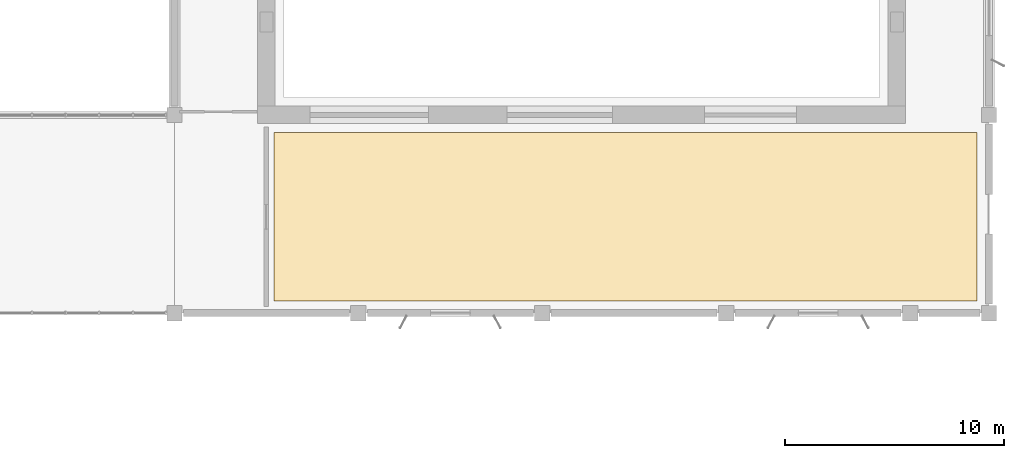
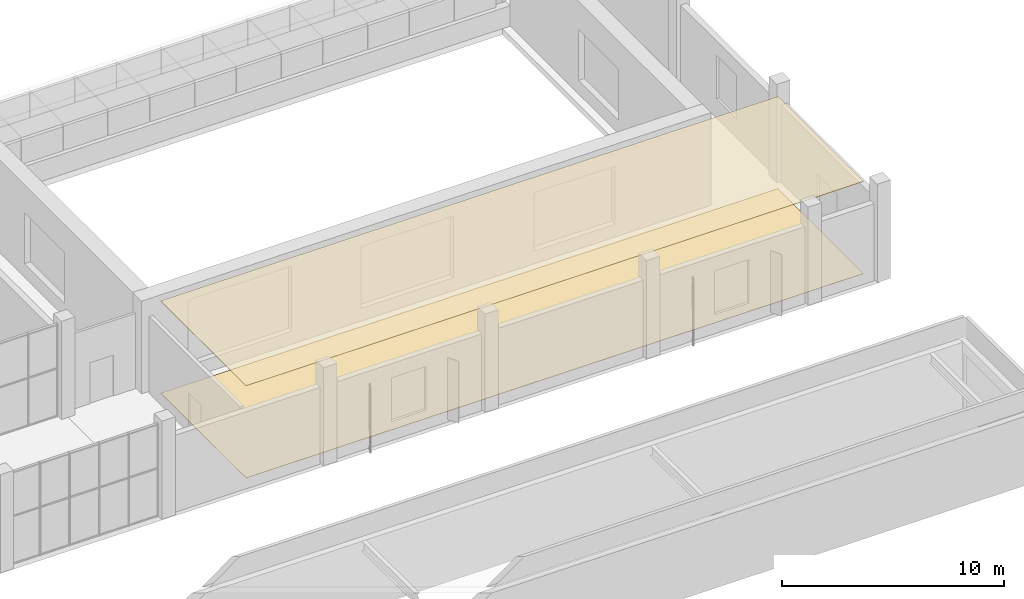
# One storey, part 91 of 91: 2 coverings.
"""IFC4 building model written with IfcOpenShell, lengths in metres."""

from ifc_helpers import new_model, si_unit, direction, frame, origin, place, context, subcontext, project, spatial, polyline, outline, extrude, material, layer, layer_set, type_object, element, save


model = new_model("IFC4")

# Units and contexts
model_context = context("Model", 3, precision=1e-05, world=origin(), true_north=direction((0.0, 1.0)))
body_context = subcontext(model_context, "Body", "Model", "MODEL_VIEW")
ifc_project = project(units=[si_unit("LENGTHUNIT", "METRE"), si_unit("AREAUNIT", "SQUARE_METRE"), si_unit("VOLUMEUNIT", "CUBIC_METRE"), si_unit("PLANEANGLEUNIT", "RADIAN"), si_unit("MASSUNIT", "GRAM", prefix="KILO")], contexts=[model_context])

# Site, building, storey
site_placement = place(None, origin())
site = spatial("IfcSite", under=ifc_project, at=site_placement, CompositionType="ELEMENT")
building_placement = place(site_placement, origin())
building = spatial("IfcBuilding", under=site, at=building_placement, Name="Khurvash Pelagic Aquarium", CompositionType="ELEMENT")
storey_placement = place(building_placement, origin())
storey = spatial("IfcBuildingStorey", under=building, at=storey_placement, Name="L00", CompositionType="ELEMENT", Elevation=0.0)

# Coverings
ifc_material_1 = material(Name="Moisture-resistant acoustic mineral-fibre ceiling", Category="finish")
ifc_layer_1 = layer(ifc_material_1, 0.02490234375)
ifc_layer_set_1 = layer_set([ifc_layer_1], Name="Moisture-resistant acoustic mineral-fibre ceiling")
covering_type_1 = type_object("IfcCoveringType", Name="CV-CLG", PredefinedType="CEILING", material=ifc_layer_set_1)
covering_1_placement = place(storey_placement, frame((0.0, 0.0, 5.06494140625)))
element("IfcCovering", 1, at=covering_1_placement, inside=storey, type_object=covering_type_1, Name="L00 Main Ocean Tank South Viewing Hall Suspended Acoustic Ceiling", PredefinedType="CEILING", context=body_context, shape_type="SweptSolid", body=[
    extrude(outline(polyline([(162.64990234375, 21.25), (162.64990234375, 28.949951171875), (130.550048828125, 28.949951171875), (130.550048828125, 21.25), (162.64990234375, 21.25)])), origin(), (0.0, 0.0, 1.0), 0.025146484375),
])
ifc_material_2 = material(Name="Slip-resistant terrazzo and epoxy resin flooring", Category="finish")
ifc_layer_2 = layer(ifc_material_2, 0.02001953125)
ifc_layer_set_2 = layer_set([ifc_layer_2], Name="Slip-resistant terrazzo and epoxy resin flooring")
covering_type_2 = type_object("IfcCoveringType", Name="CV-FLR", PredefinedType="FLOORING", material=ifc_layer_set_2)
covering_2_placement = place(storey_placement, origin())
element("IfcCovering", 2, at=covering_2_placement, inside=storey, type_object=covering_type_2, Name="L00 Main Ocean Tank South Viewing Hall Terrazzo Floor Finish", PredefinedType="FLOORING", context=body_context, shape_type="SweptSolid", body=[
    extrude(outline(polyline([(162.64990234375, 21.25), (162.64990234375, 28.949951171875), (130.550048828125, 28.949951171875), (130.550048828125, 21.25), (162.64990234375, 21.25)])), origin(), (0.0, 0.0, 1.0), 0.02001953125),
])

save(model, "model.ifc")
